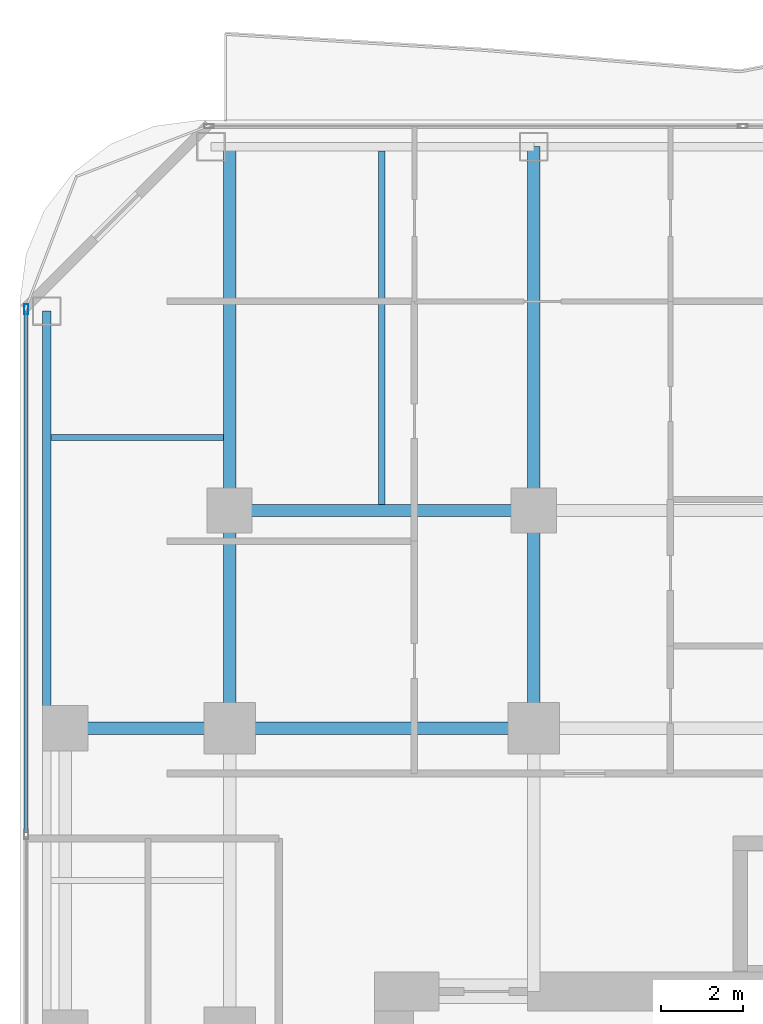
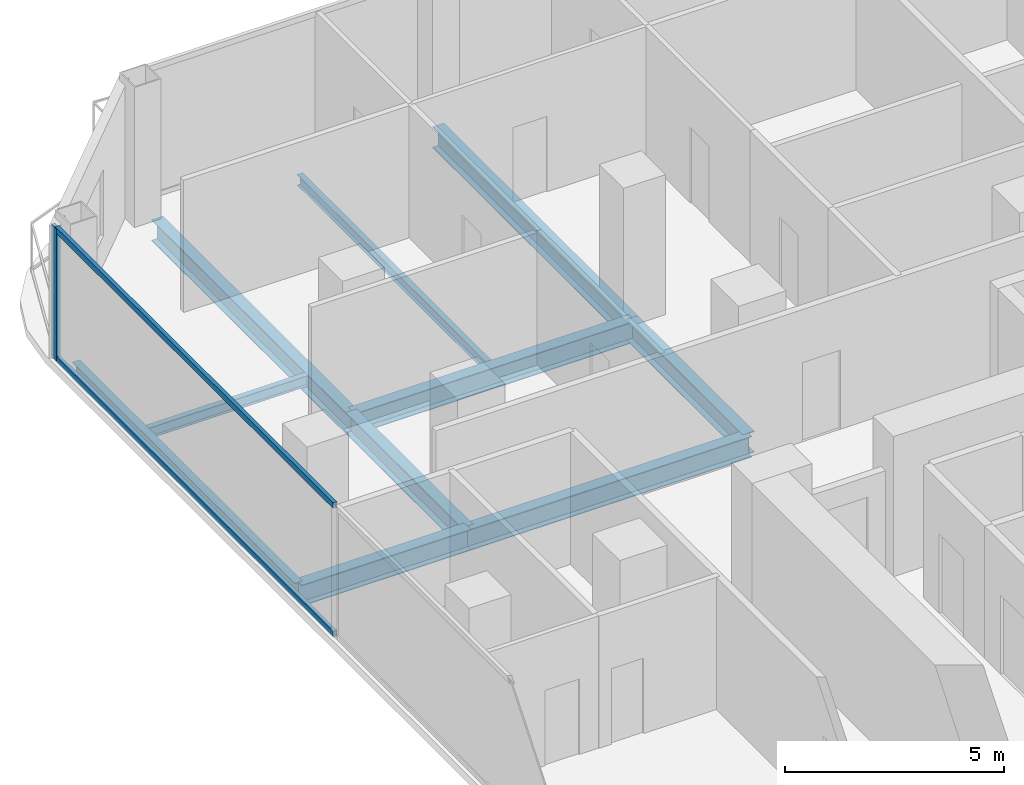
# One storey, part 12 of 27: 10 beams, 3 members, 1 element without a shape of its own.
"""IFC4 building model written with IfcOpenShell, lengths in metres."""

from ifc_helpers import new_model, si_unit, direction, frame, origin, origin_2d, place, context, subcontext, project, spatial, hollow_rectangle, i_section, extrude, material, layer, layer_set, material_profile, profile_set, type_object, element, aggregate, save


model = new_model("IFC4")

# Units and contexts
model_context = context("Model", 3, precision=1e-05, world=origin(), true_north=direction((0.0, 1.0)))
body_context = subcontext(model_context, "Body", "Model", "MODEL_VIEW")
ifc_project = project(units=[si_unit("LENGTHUNIT", "METRE"), si_unit("AREAUNIT", "SQUARE_METRE"), si_unit("VOLUMEUNIT", "CUBIC_METRE"), si_unit("PLANEANGLEUNIT", "RADIAN"), si_unit("MASSUNIT", "GRAM", prefix="KILO")], contexts=[model_context])

# Site, building, storey
site_placement = place(None, origin())
site = spatial("IfcSite", under=ifc_project, at=site_placement, CompositionType="ELEMENT")
building_placement = place(site_placement, origin())
building = spatial("IfcBuilding", under=site, at=building_placement, Name="Khorvyn Point Tower", CompositionType="ELEMENT")
storey_placement = place(building_placement, frame((0.0, 0.0, 125.10009765625)))
storey = spatial("IfcBuildingStorey", under=building, at=storey_placement, Name="L31", CompositionType="ELEMENT", Elevation=125.10009765625)

# Curtain wall, members
ifc_material_1 = material(Name="Anodised aluminium 6063-T6 and laminated Low-E glass", Category="aluminium")
ifc_layer = layer(ifc_material_1, 0.18994140625)
ifc_layer_set = layer_set([ifc_layer], Name="Stick-Built Acoustic Curtain Wall CW-SYS-03")
curtain_wall_type = type_object("IfcCurtainWallType", Name="Stick-Built Acoustic Curtain Wall CW-SYS-03", PredefinedType="NOTDEFINED", material=ifc_layer_set)
curtain_wall_placement = place(storey_placement, origin())
curtain_wall = element("IfcCurtainWall", 1, at=curtain_wall_placement, inside=storey, type_object=curtain_wall_type, Name="Curtain Wall", PredefinedType="NOTDEFINED")
ifc_material_2 = material(Name="Anodised aluminium 6063-T6", Category="aluminium")
ifc_material_profile_1 = material_profile(ifc_material_2, hollow_rectangle(XDim=0.10009765625, YDim=0.239990234375, WallThickness=0.0048828125, at=origin_2d()))
ifc_profile_set_1 = profile_set([ifc_material_profile_1], Name="Anodised aluminium 6063-T6 ALU-MUL-100x240")
member_type_1 = type_object("IfcMemberType", Name="Anodised Aluminium 6063-T6 Mullion ALU-MUL-100x240", PredefinedType="MULLION", material=ifc_profile_set_1)
member_1_placement = place(storey_placement, frame((-19.75, 25.0, 0.0), z_axis=(0.0, 0.0, 1.0), x_axis=(-1.0, 0.0, 0.0)))
member_1 = element("IfcMember", 2, at=member_1_placement, type_object=member_type_1, Name="Transom", PredefinedType="MULLION", context=body_context, shape_type="SweptSolid", body=[
    extrude(hollow_rectangle(XDim=0.10009765625, YDim=0.239990234375, WallThickness=0.0048828125, at=origin_2d()), origin(), (0.0, 0.0, 1.0), 3.679931640625),
])
ifc_material_profile_2 = material_profile(ifc_material_2, hollow_rectangle(XDim=0.10009765625, YDim=0.159912109375, WallThickness=0.00439453125, at=origin_2d()))
ifc_profile_set_2 = profile_set([ifc_material_profile_2], Name="Anodised aluminium 6063-T6 ALU-TRN-100x160")
member_type_2 = type_object("IfcMemberType", Name="Anodised Aluminium 6063-T6 Transom ALU-TRN-100x160", PredefinedType="USERDEFINED", material=ifc_profile_set_2)
member_2_placement = place(storey_placement, frame((-19.75, 12.2666015625, 0.0498046875), z_axis=(0.0, 1.0, 0.0), x_axis=(-1.0, 0.0, 0.0)))
member_2 = element("IfcMember", 3, at=member_2_placement, type_object=member_type_2, Name="Transom", ObjectType="TRANSOM", PredefinedType="USERDEFINED", context=body_context, shape_type="SweptSolid", body=[
    extrude(hollow_rectangle(XDim=0.10009765625, YDim=0.159912109375, WallThickness=0.00439453125, at=origin_2d()), origin(), (0.0, 0.0, 1.0), 12.683349609375),
])
member_3_placement = place(storey_placement, frame((-19.75, 12.2666015625, 3.6298828125), z_axis=(0.0, 1.0, 0.0), x_axis=(-1.0, 0.0, 0.0)))
member_3 = element("IfcMember", 4, at=member_3_placement, type_object=member_type_2, Name="Transom", ObjectType="TRANSOM", PredefinedType="USERDEFINED", context=body_context, shape_type="SweptSolid", body=[
    extrude(hollow_rectangle(XDim=0.10009765625, YDim=0.159912109375, WallThickness=0.00439453125, at=origin_2d()), origin(), (0.0, 0.0, 1.0), 12.683349609375),
])
aggregate(curtain_wall, [member_1, member_2, member_3])

# Beams
ifc_material_3 = material(Name="Steel S355", Category="steel")
ifc_material_profile_3 = material_profile(ifc_material_3, i_section(OverallWidth=0.300048828125, OverallDepth=0.587890625, WebThickness=0.011962890625, FlangeThickness=0.02001953125, at=origin_2d()))
ifc_profile_set_3 = profile_set([ifc_material_profile_3], Name="Steel S355 H588x300x12x20")
beam_type_1 = type_object("IfcBeamType", Name="Steel S355 Beam H588x300x12x20", PredefinedType="BEAM", material=ifc_profile_set_3)
beam_1_placement = place(storey_placement, frame((-19.25, 14.800048828125, -0.51416015625), z_axis=(1.0, 0.0, 0.0), x_axis=(0.0, 1.0, 0.0)))
element("IfcBeam", 5, at=beam_1_placement, inside=storey, type_object=beam_type_1, Name="Beam", PredefinedType="BEAM", context=body_context, shape_type="SweptSolid", body=[
    extrude(i_section(OverallWidth=0.300048828125, OverallDepth=0.587890625, WebThickness=0.011962890625, FlangeThickness=0.02001953125, at=origin_2d()), origin(), (0.0, 0.0, 1.0), 4.449951171875),
])
for number, where, z_axis, x_axis, name in (
    (6, (-14.800048828125, 14.800048828125, -0.51416015625), (1.0, 0.0, 0.0), (0.0, 1.0, 0.0), "Beam"),
    (7, (-14.800048828125, 20.10009765625, -0.51416015625), (1.0, 0.0, 0.0), (0.0, 1.0, 0.0), "Beam"),
):
    element("IfcBeam", number, at=place(storey_placement, frame(where, z_axis=z_axis, x_axis=x_axis)), inside=storey, type_object=beam_type_1, Name=name, PredefinedType="BEAM", context=body_context, shape_type="SweptSolid", body=[
        extrude(i_section(OverallWidth=0.300048828125, OverallDepth=0.587890625, WebThickness=0.011962890625, FlangeThickness=0.02001953125, at=origin_2d()), origin(), (0.0, 0.0, 1.0), 7.400146484375),
    ])
beam_2_placement = place(storey_placement, frame((-14.800048828125, 14.800048828125, -0.51416015625), z_axis=(0.0, 1.0, 0.0), x_axis=(-1.0, 0.0, 0.0)))
element("IfcBeam", 8, at=beam_2_placement, inside=storey, type_object=beam_type_1, Name="Beam", PredefinedType="BEAM", context=body_context, shape_type="SweptSolid", body=[
    extrude(i_section(OverallWidth=0.300048828125, OverallDepth=0.587890625, WebThickness=0.011962890625, FlangeThickness=0.02001953125, at=origin_2d()), origin(), (0.0, 0.0, 1.0), 5.300048828125),
])
beam_3_placement = place(storey_placement, frame((-14.800048828125, 20.10009765625, -0.51416015625), z_axis=(0.0, 1.0, 0.0), x_axis=(-1.0, 0.0, 0.0)))
element("IfcBeam", 9, at=beam_3_placement, inside=storey, type_object=beam_type_1, Name="Beam", PredefinedType="BEAM", context=body_context, shape_type="SweptSolid", body=[
    extrude(i_section(OverallWidth=0.300048828125, OverallDepth=0.587890625, WebThickness=0.011962890625, FlangeThickness=0.02001953125, at=origin_2d()), origin(), (0.0, 0.0, 1.0), 8.849853515625),
])
beam_4_placement = place(storey_placement, frame((-7.39990234375, 14.800048828125, -0.51416015625), z_axis=(0.0, 1.0, 0.0), x_axis=(-1.0, 0.0, 0.0)))
element("IfcBeam", 10, at=beam_4_placement, inside=storey, type_object=beam_type_1, Name="Beam", PredefinedType="BEAM", context=body_context, shape_type="SweptSolid", body=[
    extrude(i_section(OverallWidth=0.300048828125, OverallDepth=0.587890625, WebThickness=0.011962890625, FlangeThickness=0.02001953125, at=origin_2d()), origin(), (0.0, 0.0, 1.0), 5.300048828125),
])
beam_5_placement = place(storey_placement, frame((-7.39990234375, 20.10009765625, -0.51416015625), z_axis=(0.0, 1.0, 0.0), x_axis=(-1.0, 0.0, 0.0)))
element("IfcBeam", 11, at=beam_5_placement, inside=storey, type_object=beam_type_1, Name="Beam", PredefinedType="BEAM", context=body_context, shape_type="SweptSolid", body=[
    extrude(i_section(OverallWidth=0.300048828125, OverallDepth=0.587890625, WebThickness=0.011962890625, FlangeThickness=0.02001953125, at=origin_2d()), origin(), (0.0, 0.0, 1.0), 8.849853515625),
])
ifc_material_profile_4 = material_profile(ifc_material_3, i_section(OverallWidth=0.14990234375, OverallDepth=0.300048828125, WebThickness=0.006591796875, FlangeThickness=0.009033203125, at=origin_2d()))
ifc_profile_set_4 = profile_set([ifc_material_profile_4], Name="Steel S355 H300x150x6.5x9")
beam_type_2 = type_object("IfcBeamType", Name="Steel S355 Joist H300x150x6.5x9", PredefinedType="JOIST", material=ifc_profile_set_4)
beam_6_placement = place(storey_placement, frame((-11.10009765625, 20.25, -0.3701171875), z_axis=(0.0, 1.0, 0.0), x_axis=(-1.0, 0.0, 0.0)))
element("IfcBeam", 12, at=beam_6_placement, inside=storey, type_object=beam_type_2, Name="Beam", PredefinedType="JOIST", context=body_context, shape_type="SweptSolid", body=[
    extrude(i_section(OverallWidth=0.14990234375, OverallDepth=0.300048828125, WebThickness=0.006591796875, FlangeThickness=0.009033203125, at=origin_2d()), origin(), (0.0, 0.0, 1.0), 8.60009765625),
])
beam_7_placement = place(storey_placement, frame((-19.14990234375, 21.875, -0.3701171875), z_axis=(1.0, 0.0, 0.0), x_axis=(0.0, 1.0, 0.0)))
element("IfcBeam", 13, at=beam_7_placement, inside=storey, type_object=beam_type_2, Name="Beam", PredefinedType="JOIST", context=body_context, shape_type="SweptSolid", body=[
    extrude(i_section(OverallWidth=0.14990234375, OverallDepth=0.300048828125, WebThickness=0.006591796875, FlangeThickness=0.009033203125, at=origin_2d()), origin(), (0.0, 0.0, 1.0), 4.199951171875),
])
ifc_material_profile_5 = material_profile(ifc_material_3, i_section(OverallWidth=0.199951171875, OverallDepth=0.449951171875, WebThickness=0.009033203125, FlangeThickness=0.013916015625, at=origin_2d()))
ifc_profile_set_5 = profile_set([ifc_material_profile_5], Name="Steel S355 H450x200x9x14")
beam_type_3 = type_object("IfcBeamType", Name="Steel S355 Spandrel H450x200x9x14", PredefinedType="SPANDREL", material=ifc_profile_set_5)
beam_8_placement = place(storey_placement, frame((-19.25, 14.800048828125, -0.445068359375), z_axis=(0.0, 1.0, 0.0), x_axis=(-1.0, 0.0, 0.0)))
element("IfcBeam", 14, at=beam_8_placement, inside=storey, type_object=beam_type_3, Name="Beam", PredefinedType="SPANDREL", context=body_context, shape_type="SweptSolid", body=[
    extrude(i_section(OverallWidth=0.199951171875, OverallDepth=0.449951171875, WebThickness=0.009033203125, FlangeThickness=0.013916015625, at=origin_2d()), origin(), (0.0, 0.0, 1.0), 10.14990234375),
])

save(model, "model.ifc")
